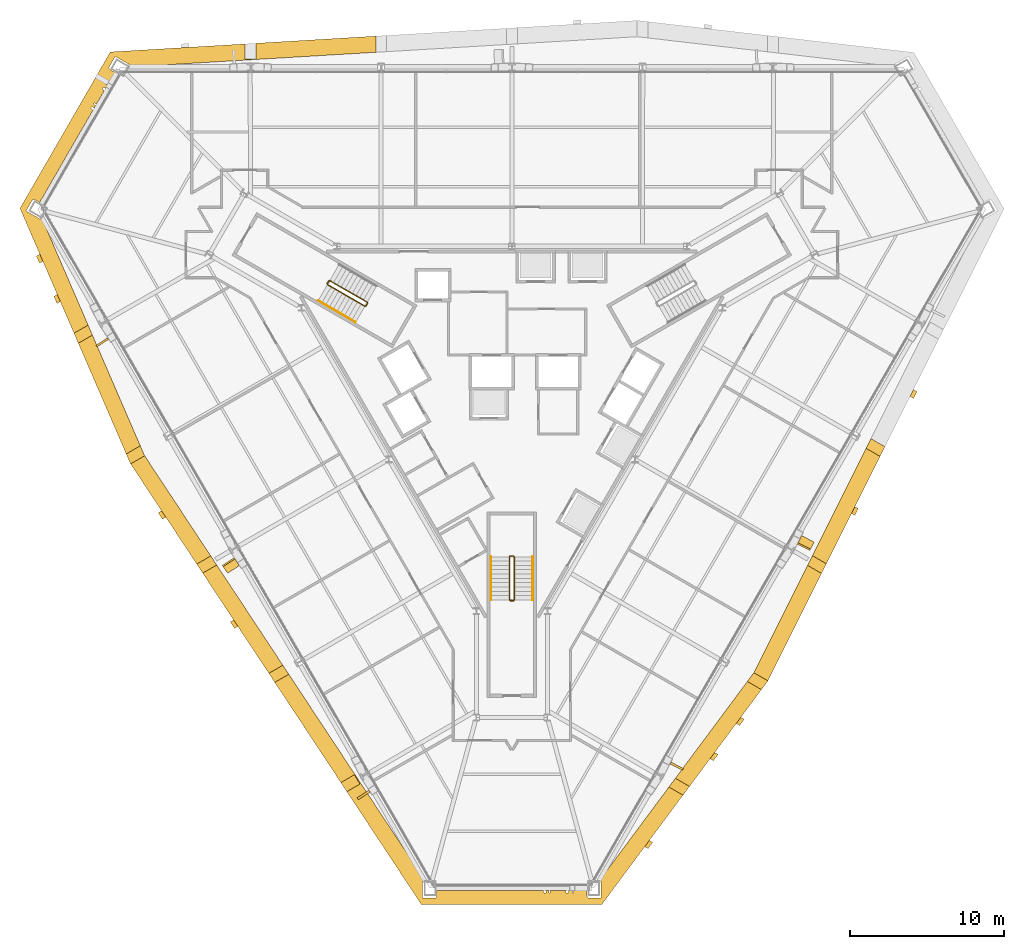
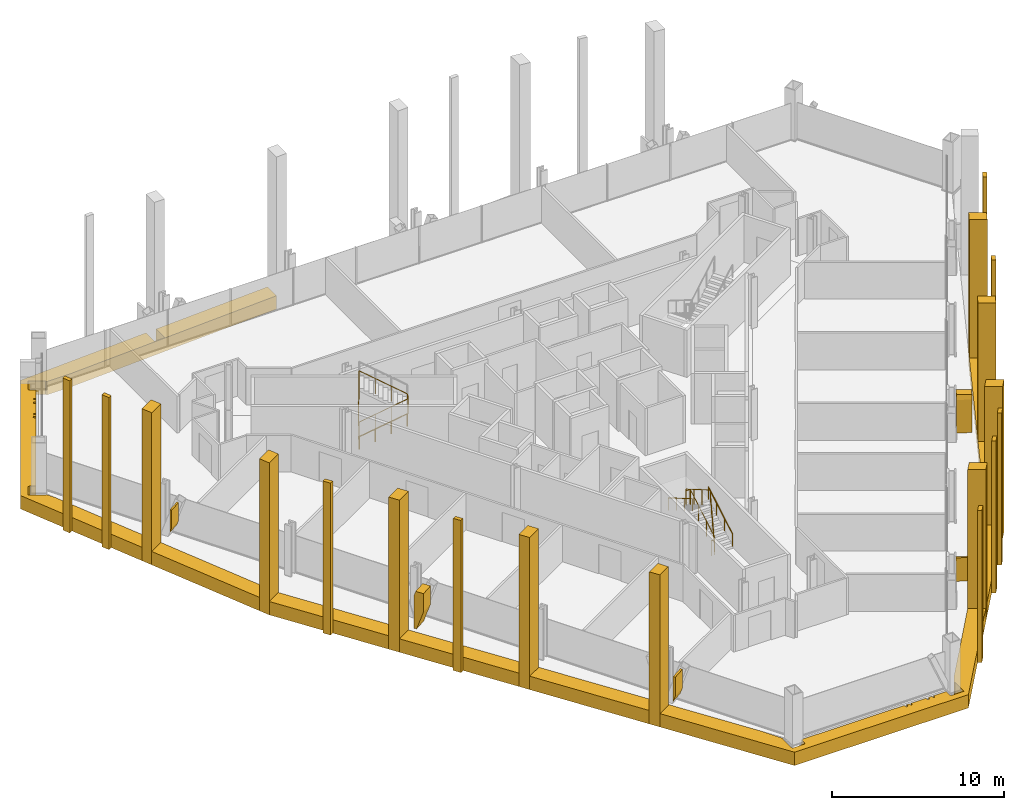
# One storey, part 14 of 16: 31 coverings, 5 railings.
"""IFC4 building model written with IfcOpenShell, lengths in metres."""

from ifc_helpers import new_model, si_unit, direction, frame, origin, origin_2d, place, context, subcontext, project, spatial, polyline, circle, outline, extrude, material, layer, layer_set, type_object, element, save


model = new_model("IFC4")

# Units and contexts
model_context = context("Model", 3, precision=1e-05, world=origin(), true_north=direction((0.0, 1.0)))
body_context = subcontext(model_context, "Body", "Model", "MODEL_VIEW")
ifc_project = project(units=[si_unit("LENGTHUNIT", "METRE"), si_unit("AREAUNIT", "SQUARE_METRE"), si_unit("VOLUMEUNIT", "CUBIC_METRE"), si_unit("PLANEANGLEUNIT", "RADIAN"), si_unit("MASSUNIT", "GRAM", prefix="KILO")], contexts=[model_context])

# Site, building, storey
site_placement = place(None, origin())
site = spatial("IfcSite", under=ifc_project, at=site_placement, CompositionType="ELEMENT")
building_placement = place(site_placement, origin())
building = spatial("IfcBuilding", under=site, at=building_placement, Name="Verrane Prism Tower", CompositionType="ELEMENT")
storey_placement = place(building_placement, frame((0.0, 0.0, 36.800048828125)))
storey = spatial("IfcBuildingStorey", under=building, at=storey_placement, Name="L06", CompositionType="ELEMENT", Elevation=36.800048828125)

# Railings
ifc_material_1 = material(Name="Steel A36 rail and posts, no infill", Category="steel")
railing_type_1 = type_object("IfcRailingType", Name="Stair guard 1100 steel rail and posts", PredefinedType="GUARDRAIL", material=ifc_material_1)
railing_1_placement = place(storey_placement, frame((-11.939453125, 6.72021484375, 0.16357421875)))
element("IfcRailing", 1, at=railing_1_placement, inside=storey, type_object=railing_type_1, Name="Stair 2 guard", PredefinedType="GUARDRAIL", context=body_context, shape_type="SweptSolid", body=[
    extrude(circle(Radius=0.02392578125, at=origin_2d()), frame((0.0, 0.0, 1.076171875), z_axis=(0.747665513933, -0.431721881032, 0.504591415616), x_axis=(0.500049511043, 0.865996816683, 0.0)), (0.0, 0.0, 1.0), 3.2431640625),
    extrude(circle(Radius=0.02392578125, at=origin_2d()), frame((2.4248046875, -1.400146484375, 2.71240234375), z_axis=(0.965948051503, 0.258736085224, 0.0), x_axis=(-0.258736085224, 0.965948051503, 0.0)), (0.0, 0.0, 1.0), 0.07080078125),
    extrude(circle(Radius=0.02392578125, at=origin_2d()), frame((2.4931640625, -1.3818359375, 2.71240234375), z_axis=(0.499158860599, 0.866510491504, 0.0), x_axis=(-0.866510491504, 0.499158860599, 0.0)), (0.0, 0.0, 1.0), 0.199951171875),
    extrude(circle(Radius=0.02392578125, at=origin_2d()), frame((2.593017578125, -1.20849609375, 2.71240234375), z_axis=(-0.102791240646, 0.382383415203, 0.918268416436), x_axis=(-0.965715946433, -0.259601060869, 0.0)), (0.0, 0.0, 1.0), 0.17822265625),
    extrude(circle(Radius=0.02392578125, at=origin_2d()), frame((2.57470703125, -1.140380859375, 2.8759765625), z_axis=(-0.747693913401, 0.431738279637, 0.504535300807), x_axis=(-0.500049511043, -0.865996816683, 0.0)), (0.0, 0.0, 1.0), 3.2431640625),
    extrude(circle(Radius=0.02392578125, at=origin_2d()), frame((0.14990234375, 0.259765625, 4.51220703125), z_axis=(-0.046610908435, -0.053105316576, -0.997500500534), x_axis=(0.751567565678, -0.659656118156, 0.0)), (0.0, 0.0, 1.0), 3.60888671875),
    extrude(circle(Radius=0.02392578125, at=origin_2d()), frame((-0.018310546875, 0.068115234375, 0.91259765625), z_axis=(0.499158860599, 0.866510491504, 0.0), x_axis=(-0.866510491504, 0.499158860599, 0.0)), (0.0, 0.0, 1.0), 0.199951171875),
    extrude(circle(Radius=0.02099609375, at=origin_2d()), origin(), (0.0, 0.0, 1.0), 1.052001953125),
    extrude(circle(Radius=0.02099609375, at=origin_2d()), frame((0.808349609375, -0.466796875, 0.54541015625)), (0.0, 0.0, 1.0), 1.052001953125),
    extrude(circle(Radius=0.02099609375, at=origin_2d()), frame((1.616455078125, -0.933349609375, 1.091064453125)), (0.0, 0.0, 1.0), 1.052001953125),
    extrude(circle(Radius=0.02099609375, at=origin_2d()), frame((2.4248046875, -1.400146484375, 1.636474609375)), (0.0, 0.0, 1.0), 1.052001953125),
    extrude(circle(Radius=0.02099609375, at=origin_2d()), frame((2.4931640625, -1.3818359375, 1.636474609375)), (0.0, 0.0, 1.0), 1.052001953125),
    extrude(circle(Radius=0.02099609375, at=origin_2d()), frame((2.593017578125, -1.20849609375, 1.636474609375)), (0.0, 0.0, 1.0), 1.052001953125),
    extrude(circle(Radius=0.02099609375, at=origin_2d()), frame((2.57470703125, -1.140380859375, 1.800048828125)), (0.0, 0.0, 1.0), 1.052001953125),
    extrude(circle(Radius=0.02099609375, at=origin_2d()), frame((1.766357421875, -0.673583984375, 2.345458984375)), (0.0, 0.0, 1.0), 1.052001953125),
    extrude(circle(Radius=0.02099609375, at=origin_2d()), frame((0.958251953125, -0.20703125, 2.890869140625)), (0.0, 0.0, 1.0), 1.052001953125),
    extrude(circle(Radius=0.02099609375, at=origin_2d()), frame((0.14990234375, 0.259765625, 3.436279296875)), (0.0, 0.0, 1.0), 1.052001953125),
    extrude(circle(Radius=0.02099609375, at=origin_2d()), frame((0.10791015625, 0.2119140625, 2.536376953125)), (0.0, 0.0, 1.0), 1.052001953125),
    extrude(circle(Radius=0.02099609375, at=origin_2d()), frame((0.06591796875, 0.1640625, 1.63623046875)), (0.0, 0.0, 1.0), 1.052001953125),
    extrude(circle(Radius=0.02099609375, at=origin_2d()), frame((0.023681640625, 0.115966796875, 0.736328125)), (0.0, 0.0, 1.0), 1.052001953125),
    extrude(circle(Radius=0.02099609375, at=origin_2d()), frame((-0.018310546875, 0.068115234375, -0.16357421875)), (0.0, 0.0, 1.0), 1.052001953125),
    extrude(circle(Radius=0.02099609375, at=origin_2d()), frame((0.08154296875, 0.241455078125, -0.16357421875)), (0.0, 0.0, 1.0), 1.052001953125),
])
railing_2_placement = place(storey_placement, frame((0.14990234375, -13.699951171875, 0.16357421875)))
element("IfcRailing", 2, at=railing_2_placement, inside=storey, type_object=railing_type_1, Name="Stair 3 guard", PredefinedType="GUARDRAIL", context=body_context, shape_type="SweptSolid", body=[
    extrude(circle(Radius=0.02392578125, at=origin_2d()), frame((0.0, 0.0, 1.076171875), z_axis=(0.0, 0.863360870873, 0.504586966384), x_axis=(-1.0, 0.0, 0.0)), (0.0, 0.0, 1.0), 3.2431640625),
    extrude(circle(Radius=0.02392578125, at=origin_2d()), frame((0.0, 2.800048828125, 2.71240234375), z_axis=(-0.707106781187, 0.707106781187, 0.0), x_axis=(-0.707106781187, -0.707106781187, 0.0)), (0.0, 0.0, 1.0), 0.0703125),
    extrude(circle(Radius=0.02392578125, at=origin_2d()), frame((-0.0498046875, 2.849853515625, 2.71240234375), z_axis=(-1.0, 0.0, 0.0), x_axis=(0.0, -1.0, 0.0)), (0.0, 0.0, 1.0), 0.2001953125),
    extrude(circle(Radius=0.02392578125, at=origin_2d()), frame((-0.25, 2.849853515625, 2.71240234375), z_axis=(-0.279653641804, -0.279653641804, 0.918470294159), x_axis=(0.707106781187, -0.707106781187, 0.0)), (0.0, 0.0, 1.0), 0.177978515625),
    extrude(circle(Radius=0.02392578125, at=origin_2d()), frame((-0.2998046875, 2.800048828125, 2.8759765625), z_axis=(0.0, -0.863393664356, 0.504530851732), x_axis=(1.0, 0.0, 0.0)), (0.0, 0.0, 1.0), 3.2431640625),
    extrude(circle(Radius=0.02392578125, at=origin_2d()), frame((-0.2998046875, 0.0, 4.51220703125), z_axis=(0.069273741535, -0.013868278335, -0.997501288014), x_axis=(0.196300278283, 0.98054382908, 0.0)), (0.0, 0.0, 1.0), 3.60888671875),
    extrude(circle(Radius=0.02392578125, at=origin_2d()), frame((-0.0498046875, -0.050048828125, 0.91259765625), z_axis=(-1.0, 0.0, 0.0), x_axis=(0.0, -1.0, 0.0)), (0.0, 0.0, 1.0), 0.2001953125),
    extrude(circle(Radius=0.02099609375, at=origin_2d()), origin(), (0.0, 0.0, 1.0), 1.052001953125),
    extrude(circle(Radius=0.02099609375, at=origin_2d()), frame((0.0, 0.933349609375, 0.54541015625)), (0.0, 0.0, 1.0), 1.052001953125),
    extrude(circle(Radius=0.02099609375, at=origin_2d()), frame((0.0, 1.86669921875, 1.091064453125)), (0.0, 0.0, 1.0), 1.052001953125),
    extrude(circle(Radius=0.02099609375, at=origin_2d()), frame((0.0, 2.800048828125, 1.636474609375)), (0.0, 0.0, 1.0), 1.052001953125),
    extrude(circle(Radius=0.02099609375, at=origin_2d()), frame((-0.0498046875, 2.849853515625, 1.636474609375)), (0.0, 0.0, 1.0), 1.052001953125),
    extrude(circle(Radius=0.02099609375, at=origin_2d()), frame((-0.25, 2.849853515625, 1.636474609375)), (0.0, 0.0, 1.0), 1.052001953125),
    extrude(circle(Radius=0.02099609375, at=origin_2d()), frame((-0.2998046875, 2.800048828125, 1.800048828125)), (0.0, 0.0, 1.0), 1.052001953125),
    extrude(circle(Radius=0.02099609375, at=origin_2d()), frame((-0.2998046875, 1.86669921875, 2.345458984375)), (0.0, 0.0, 1.0), 1.052001953125),
    extrude(circle(Radius=0.02099609375, at=origin_2d()), frame((-0.2998046875, 0.933349609375, 2.890869140625)), (0.0, 0.0, 1.0), 1.052001953125),
    extrude(circle(Radius=0.02099609375, at=origin_2d()), frame((-0.2998046875, 0.0, 3.436279296875)), (0.0, 0.0, 1.0), 1.052001953125),
    extrude(circle(Radius=0.02099609375, at=origin_2d()), frame((-0.2373046875, -0.012451171875, 2.536376953125)), (0.0, 0.0, 1.0), 1.052001953125),
    extrude(circle(Radius=0.02099609375, at=origin_2d()), frame((-0.1748046875, -0.02490234375, 1.63623046875)), (0.0, 0.0, 1.0), 1.052001953125),
    extrude(circle(Radius=0.02099609375, at=origin_2d()), frame((-0.1123046875, -0.03759765625, 0.736328125)), (0.0, 0.0, 1.0), 1.052001953125),
    extrude(circle(Radius=0.02099609375, at=origin_2d()), frame((-0.0498046875, -0.050048828125, -0.16357421875)), (0.0, 0.0, 1.0), 1.052001953125),
    extrude(circle(Radius=0.02099609375, at=origin_2d()), frame((-0.25, -0.050048828125, -0.16357421875)), (0.0, 0.0, 1.0), 1.052001953125),
])
ifc_material_2 = material(Name="Steel A36 tube", Category="steel")
railing_type_2 = type_object("IfcRailingType", Name="Stair handrail 900 steel tube", PredefinedType="HANDRAIL", material=ifc_material_2)
railing_3_placement = place(storey_placement, frame((-12.53955078125, 5.680908203125, 0.16357421875)))
element("IfcRailing", 3, at=railing_3_placement, inside=storey, type_object=railing_type_2, Name="Stair 2 handrail", PredefinedType="HANDRAIL", context=body_context, shape_type="SweptSolid", body=[
    extrude(circle(Radius=0.02392578125, at=origin_2d()), frame((0.0, 0.0, 0.8759765625), z_axis=(0.747665513933, -0.431721881032, 0.504591415616), x_axis=(0.500049511043, 0.865996816683, 0.0)), (0.0, 0.0, 1.0), 3.2431640625),
    extrude(circle(Radius=0.02099609375, at=origin_2d()), origin(), (0.0, 0.0, 1.0), 0.851806640625),
    extrude(circle(Radius=0.02099609375, at=origin_2d()), frame((0.808349609375, -0.466796875, 0.54541015625)), (0.0, 0.0, 1.0), 0.851806640625),
    extrude(circle(Radius=0.02099609375, at=origin_2d()), frame((1.616455078125, -0.933349609375, 1.091064453125)), (0.0, 0.0, 1.0), 0.851806640625),
    extrude(circle(Radius=0.02099609375, at=origin_2d()), frame((2.4248046875, -1.400146484375, 1.636474609375)), (0.0, 0.0, 1.0), 0.851806640625),
])
railing_4_placement = place(storey_placement, frame((1.35009765625, -13.699951171875, 0.16357421875)))
element("IfcRailing", 4, at=railing_4_placement, inside=storey, type_object=railing_type_2, Name="Stair 3 handrail", PredefinedType="HANDRAIL", context=body_context, shape_type="SweptSolid", body=[
    extrude(circle(Radius=0.02392578125, at=origin_2d()), frame((0.0, 0.0, 0.8759765625), z_axis=(0.0, 0.863360870873, 0.504586966384), x_axis=(-1.0, 0.0, 0.0)), (0.0, 0.0, 1.0), 3.2431640625),
    extrude(circle(Radius=0.02099609375, at=origin_2d()), origin(), (0.0, 0.0, 1.0), 0.851806640625),
    extrude(circle(Radius=0.02099609375, at=origin_2d()), frame((0.0, 0.933349609375, 0.54541015625)), (0.0, 0.0, 1.0), 0.851806640625),
    extrude(circle(Radius=0.02099609375, at=origin_2d()), frame((0.0, 1.86669921875, 1.091064453125)), (0.0, 0.0, 1.0), 0.851806640625),
    extrude(circle(Radius=0.02099609375, at=origin_2d()), frame((0.0, 2.800048828125, 1.636474609375)), (0.0, 0.0, 1.0), 0.851806640625),
])
railing_5_placement = place(storey_placement, frame((-1.35009765625, -10.89990234375, 1.963623046875)))
element("IfcRailing", 5, at=railing_5_placement, inside=storey, type_object=railing_type_2, Name="Stair 3 handrail", PredefinedType="HANDRAIL", context=body_context, shape_type="SweptSolid", body=[
    extrude(circle(Radius=0.02392578125, at=origin_2d()), frame((0.0, 0.0, 0.8759765625), z_axis=(0.0, -0.863393664356, 0.504530851732), x_axis=(1.0, 0.0, 0.0)), (0.0, 0.0, 1.0), 3.2431640625),
    extrude(circle(Radius=0.02099609375, at=origin_2d()), origin(), (0.0, 0.0, 1.0), 0.851806640625),
    extrude(circle(Radius=0.02099609375, at=origin_2d()), frame((0.0, -0.933349609375, 0.54541015625)), (0.0, 0.0, 1.0), 0.851806640625),
    extrude(circle(Radius=0.02099609375, at=origin_2d()), frame((0.0, -1.86669921875, 1.0908203125)), (0.0, 0.0, 1.0), 0.851806640625),
    extrude(circle(Radius=0.02099609375, at=origin_2d()), frame((0.0, -2.800048828125, 1.63623046875)), (0.0, 0.0, 1.0), 0.851806640625),
])

# Coverings
ifc_material_3 = material(Name="Warm limestone cladding", Category="masonry")
ifc_layer_1 = layer(ifc_material_3, 0.89990234375)
ifc_layer_set_1 = layer_set([ifc_layer_1], Name="Stone brace fin 900")
covering_type_1 = type_object("IfcCoveringType", Name="Stone brace fin 900", PredefinedType="CLADDING", material=ifc_layer_set_1)
covering_1_placement = place(storey_placement, frame((-26.552001953125, 3.0283203125, 1.0322265625), z_axis=(0.0, 0.0, 1.0), x_axis=(0.541798367601, -0.840508494225, 0.0)))
element("IfcCovering", 6, at=covering_1_placement, inside=storey, type_object=covering_type_1, Name="Stone brace fin SW2 L06", PredefinedType="CLADDING", context=body_context, shape_type="SweptSolid", body=[
    extrude(outline(polyline([(0.118408203125, 1.61767578125), (0.0, 1.61767578125), (0.0, 0.0), (0.118408203125, 0.345703125), (0.118408203125, 1.61767578125)])), frame((0.0, 0.449951171875, 0.0), z_axis=(0.0, -1.0, 0.0), x_axis=(1.0, 0.0, 0.0)), (0.0, 0.0, 1.0), 0.89990234375),
])
covering_2_placement = place(storey_placement, frame((-18.35986328125, -11.20849609375, 0.0), z_axis=(0.0, 0.0, 1.0), x_axis=(0.543449212633, -0.839442048797, 0.0)))
element("IfcCovering", 7, at=covering_2_placement, inside=storey, type_object=covering_type_1, Name="Stone brace fin SW4 L06", PredefinedType="CLADDING", context=body_context, shape_type="SweptSolid", body=[
    extrude(outline(polyline([(0.61376953125, 2.64990234375), (0.10009765625, 2.64990234375), (0.0, 2.3515625), (0.0, 0.0), (0.15966796875, 0.0), (0.61376953125, 1.35205078125), (0.61376953125, 2.64990234375)])), frame((0.0, 0.449951171875, 0.0), z_axis=(0.0, -1.0, 0.0), x_axis=(1.0, 0.0, 0.0)), (0.0, 0.0, 1.0), 0.89990234375),
])
covering_3_placement = place(storey_placement, frame((-9.64453125, -26.261962890625, 0.882568359375), z_axis=(0.0, 0.0, 1.0), x_axis=(0.543873698571, -0.839167087059, 0.0)))
element("IfcCovering", 8, at=covering_3_placement, inside=storey, type_object=covering_type_1, Name="Stone brace fin SW6 L06", PredefinedType="CLADDING", context=body_context, shape_type="SweptSolid", body=[
    extrude(outline(polyline([(0.146484375, 1.767333984375), (0.0, 1.767333984375), (0.0, 0.0), (0.146484375, 0.4443359375), (0.146484375, 1.767333984375)])), frame((0.0, 0.449951171875, 0.0), z_axis=(0.0, -1.0, 0.0), x_axis=(1.0, 0.0, 0.0)), (0.0, 0.0, 1.0), 0.89990234375),
])
covering_4_placement = place(storey_placement, frame((10.648193359375, -24.522216796875, 0.98291015625), z_axis=(0.0, 0.0, 1.0), x_axis=(0.457999770489, 0.888952310437, 0.0)))
element("IfcCovering", 9, at=covering_4_placement, inside=storey, type_object=covering_type_1, Name="Stone brace fin SE2 L06", PredefinedType="CLADDING", context=body_context, shape_type="SweptSolid", body=[
    extrude(outline(polyline([(0.135498046875, 1.6669921875), (0.0, 1.6669921875), (0.0, 0.0), (0.135498046875, 0.39501953125), (0.135498046875, 1.6669921875)])), frame((0.0, 0.449951171875, 0.0), z_axis=(0.0, -1.0, 0.0), x_axis=(1.0, 0.0, 0.0)), (0.0, 0.0, 1.0), 0.89990234375),
])
covering_5_placement = place(storey_placement, frame((18.891357421875, -10.2880859375, 0.0), z_axis=(0.0, 0.0, 1.0), x_axis=(0.45577605789, 0.890094480971, 0.0)))
element("IfcCovering", 10, at=covering_5_placement, inside=storey, type_object=covering_type_1, Name="Stone brace fin SE4 L06", PredefinedType="CLADDING", context=body_context, shape_type="SweptSolid", body=[
    extrude(outline(polyline([(0.614501953125, 2.64990234375), (0.10107421875, 2.64990234375), (0.0, 2.349853515625), (0.0, 0.0), (0.1591796875, 0.0), (0.614501953125, 1.35400390625), (0.614501953125, 2.64990234375)])), frame((0.0, 0.449951171875, 0.0), z_axis=(0.0, -1.0, 0.0), x_axis=(1.0, 0.0, 0.0)), (0.0, 0.0, 1.0), 0.89990234375),
])
ifc_material_4 = material(Name="Warm limestone cladding", Category="masonry")
covering_type_2 = type_object("IfcCoveringType", Name="Stone mullion pier 500", PredefinedType="CLADDING", material=ifc_material_4)
covering_6_placement = place(storey_placement, frame((0.0, 0.0, -0.949951171875)))
element("IfcCovering", 11, at=covering_6_placement, inside=storey, type_object=covering_type_2, Name="Stone pier SM-SW0.1 L06-L08", PredefinedType="CLADDING", context=body_context, shape_type="SweptSolid", body=[
    extrude(outline(polyline([(-30.3603515625, 8.227294921875), (-30.560302734375, 8.689208984375), (-30.778076171875, 8.5634765625), (-30.578369140625, 8.1015625), (-30.3603515625, 8.227294921875)])), origin(), (0.0, 0.0, 1.0), 10.7998046875),
])
covering_7_placement = place(storey_placement, frame((0.0, 0.0, -0.949951171875)))
element("IfcCovering", 12, at=covering_7_placement, inside=storey, type_object=covering_type_2, Name="Stone pier SM-SW0.2 L06-L08", PredefinedType="CLADDING", context=body_context, shape_type="SweptSolid", body=[
    extrude(outline(polyline([(-29.233642578125, 5.622314453125), (-29.43359375, 6.084228515625), (-29.6513671875, 5.95849609375), (-29.45166015625, 5.496337890625), (-29.233642578125, 5.622314453125)])), origin(), (0.0, 0.0, 1.0), 10.7998046875),
])
covering_8_placement = place(storey_placement, frame((0.0, 0.0, -0.949951171875)))
element("IfcCovering", 13, at=covering_8_placement, inside=storey, type_object=covering_type_2, Name="Stone pier SM-SW2.1 L06-L08", PredefinedType="CLADDING", context=body_context, shape_type="SweptSolid", body=[
    extrude(outline(polyline([(-22.402587890625, -8.339599609375), (-22.678466796875, -7.92138671875), (-22.8955078125, -8.046630859375), (-22.619384765625, -8.464599609375), (-22.402587890625, -8.339599609375)])), origin(), (0.0, 0.0, 1.0), 10.7998046875),
])
covering_9_placement = place(storey_placement, frame((0.0, 0.0, -0.949951171875)))
element("IfcCovering", 14, at=covering_9_placement, inside=storey, type_object=covering_type_2, Name="Stone pier SM-SW3.1 L06-L08", PredefinedType="CLADDING", context=body_context, shape_type="SweptSolid", body=[
    extrude(outline(polyline([(-17.736083984375, -15.412109375), (-18.011962890625, -14.993896484375), (-18.22900390625, -15.119140625), (-17.952880859375, -15.537109375), (-17.736083984375, -15.412109375)])), origin(), (0.0, 0.0, 1.0), 10.7998046875),
])
covering_10_placement = place(storey_placement, frame((0.0, 0.0, -0.949951171875)))
element("IfcCovering", 15, at=covering_10_placement, inside=storey, type_object=covering_type_2, Name="Stone pier SM-SE0.1 L06-L08", PredefinedType="CLADDING", context=body_context, shape_type="SweptSolid", body=[
    extrude(outline(polyline([(8.9013671875, -29.267333984375), (8.601318359375, -29.67138671875), (8.819091796875, -29.797119140625), (9.119384765625, -29.393310546875), (8.9013671875, -29.267333984375)])), origin(), (0.0, 0.0, 1.0), 10.7998046875),
])
covering_11_placement = place(storey_placement, frame((0.0, 0.0, -0.949951171875)))
element("IfcCovering", 16, at=covering_11_placement, inside=storey, type_object=covering_type_2, Name="Stone pier SM-SE1.1 L06-L08", PredefinedType="CLADDING", context=body_context, shape_type="SweptSolid", body=[
    extrude(outline(polyline([(13.13330078125, -23.57177734375), (12.8330078125, -23.9755859375), (13.051025390625, -24.1015625), (13.351318359375, -23.697509765625), (13.13330078125, -23.57177734375)])), origin(), (0.0, 0.0, 1.0), 10.7998046875),
])
covering_12_placement = place(storey_placement, frame((0.0, 0.0, -0.949951171875)))
element("IfcCovering", 17, at=covering_12_placement, inside=storey, type_object=covering_type_2, Name="Stone pier SM-SE1.2 L06-L08", PredefinedType="CLADDING", context=body_context, shape_type="SweptSolid", body=[
    extrude(outline(polyline([(14.825927734375, -21.29345703125), (14.525634765625, -21.697509765625), (14.74365234375, -21.8232421875), (15.0439453125, -21.419189453125), (14.825927734375, -21.29345703125)])), origin(), (0.0, 0.0, 1.0), 10.7998046875),
])
covering_13_placement = place(storey_placement, frame((0.0, 0.0, -0.949951171875)))
element("IfcCovering", 18, at=covering_13_placement, inside=storey, type_object=covering_type_2, Name="Stone pier SM-SE3.1 L06-L08", PredefinedType="CLADDING", context=body_context, shape_type="SweptSolid", body=[
    extrude(outline(polyline([(22.215087890625, -7.654052734375), (21.9912109375, -8.101806640625), (22.2080078125, -8.22705078125), (22.43212890625, -7.779296875), (22.215087890625, -7.654052734375)])), origin(), (0.0, 0.0, 1.0), 10.7998046875),
])
covering_14_placement = place(storey_placement, frame((0.0, 0.0, -0.949951171875)))
element("IfcCovering", 19, at=covering_14_placement, inside=storey, type_object=covering_type_2, Name="Stone pier SM-SE4.1 L06-L08", PredefinedType="CLADDING", context=body_context, shape_type="SweptSolid", body=[
    extrude(outline(polyline([(26.007080078125, -0.076416015625), (25.78271484375, -0.5244140625), (25.999755859375, -0.6494140625), (26.223876953125, -0.20166015625), (26.007080078125, -0.076416015625)])), origin(), (0.0, 0.0, 1.0), 10.7998046875),
])
ifc_material_5 = material(Name="Warm limestone cladding", Category="masonry")
covering_type_3 = type_object("IfcCoveringType", Name="Stone pier 700", PredefinedType="CLADDING", material=ifc_material_5)
covering_15_placement = place(storey_placement, frame((0.0, 0.0, -0.949951171875)))
element("IfcCovering", 20, at=covering_15_placement, inside=storey, type_object=covering_type_3, Name="Stone pier PC-SW1 L06-L08", PredefinedType="CLADDING", context=body_context, shape_type="SweptSolid", body=[
    extrude(outline(polyline([(-28.06689453125, 2.9248046875), (-27.15478515625, 3.451416015625), (-27.4345703125, 4.098388671875), (-28.3466796875, 3.571533203125), (-28.06689453125, 2.9248046875)])), origin(), (0.0, 0.0, 1.0), 10.7998046875),
])
covering_16_placement = place(storey_placement, frame((0.0, 0.0, -0.949951171875)))
element("IfcCovering", 21, at=covering_16_placement, inside=storey, type_object=covering_type_3, Name="Stone pier PC-SW2 L06-L08", PredefinedType="CLADDING", context=body_context, shape_type="SweptSolid", body=[
    extrude(outline(polyline([(-24.6806640625, -4.886962890625), (-23.77294921875, -4.36279296875), (-23.779296875, -4.35302734375), (-24.054443359375, -3.717041015625), (-24.966796875, -4.24365234375), (-24.703369140625, -4.852783203125), (-24.6806640625, -4.886962890625)])), origin(), (0.0, 0.0, 1.0), 10.7998046875),
])
covering_17_placement = place(storey_placement, frame((0.0, 0.0, -0.949951171875)))
element("IfcCovering", 22, at=covering_17_placement, inside=storey, type_object=covering_type_3, Name="Stone pier PC-SW3 L06-L08", PredefinedType="CLADDING", context=body_context, shape_type="SweptSolid", body=[
    extrude(outline(polyline([(-20.01416015625, -11.95947265625), (-19.1064453125, -11.435302734375), (-19.49267578125, -10.849853515625), (-20.400390625, -11.3740234375), (-20.01416015625, -11.95947265625)])), origin(), (0.0, 0.0, 1.0), 10.7998046875),
])
covering_18_placement = place(storey_placement, frame((0.0, 0.0, -0.949951171875)))
element("IfcCovering", 23, at=covering_18_placement, inside=storey, type_object=covering_type_3, Name="Stone pier PC-SW4 L06-L08", PredefinedType="CLADDING", context=body_context, shape_type="SweptSolid", body=[
    extrude(outline(polyline([(-15.34765625, -19.031982421875), (-14.43994140625, -18.5078125), (-14.826171875, -17.92236328125), (-15.73388671875, -18.446533203125), (-15.34765625, -19.031982421875)])), origin(), (0.0, 0.0, 1.0), 10.7998046875),
])
covering_19_placement = place(storey_placement, frame((0.0, 0.0, -0.949951171875)))
element("IfcCovering", 24, at=covering_19_placement, inside=storey, type_object=covering_type_3, Name="Stone pier PC-SW5 L06-L08", PredefinedType="CLADDING", context=body_context, shape_type="SweptSolid", body=[
    extrude(outline(polyline([(-9.838623046875, -25.617919921875), (-9.87451171875, -25.5556640625), (-10.188720703125, -25.01171875), (-11.0673828125, -25.51904296875), (-10.68115234375, -26.1044921875), (-9.838623046875, -25.617919921875)])), origin(), (0.0, 0.0, 1.0), 10.7998046875),
])
covering_20_placement = place(storey_placement, frame((0.0, 0.0, -0.949951171875)))
element("IfcCovering", 25, at=covering_20_placement, inside=storey, type_object=covering_type_3, Name="Stone pier PC-SE1 L06-L08", PredefinedType="CLADDING", context=body_context, shape_type="SweptSolid", body=[
    extrude(outline(polyline([(11.50048828125, -25.769287109375), (10.588134765625, -25.242431640625), (10.16796875, -25.80810546875), (11.080322265625, -26.334716796875), (11.50048828125, -25.769287109375)])), origin(), (0.0, 0.0, 1.0), 10.7998046875),
])
covering_21_placement = place(storey_placement, frame((0.0, 0.0, -0.949951171875)))
element("IfcCovering", 26, at=covering_21_placement, inside=storey, type_object=covering_type_3, Name="Stone pier PC-SE2 L06-L08", PredefinedType="CLADDING", context=body_context, shape_type="SweptSolid", body=[
    extrude(outline(polyline([(16.572509765625, -18.9306640625), (15.66455078125, -18.406494140625), (15.659423828125, -18.4169921875), (15.24609375, -18.97314453125), (16.158447265625, -19.5), (16.55419921875, -18.96728515625), (16.572509765625, -18.9306640625)])), origin(), (0.0, 0.0, 1.0), 10.7998046875),
])
covering_22_placement = place(storey_placement, frame((0.0, 0.0, -0.949951171875)))
element("IfcCovering", 27, at=covering_22_placement, inside=storey, type_object=covering_type_3, Name="Stone pier PC-SE3 L06-L08", PredefinedType="CLADDING", context=body_context, shape_type="SweptSolid", body=[
    extrude(outline(polyline([(20.3642578125, -11.353271484375), (19.456298828125, -10.8291015625), (19.142578125, -11.4560546875), (20.05029296875, -11.980224609375), (20.3642578125, -11.353271484375)])), origin(), (0.0, 0.0, 1.0), 10.7998046875),
])
covering_23_placement = place(storey_placement, frame((0.0, 0.0, -0.949951171875)))
element("IfcCovering", 28, at=covering_23_placement, inside=storey, type_object=covering_type_3, Name="Stone pier PC-SE4 L06-L08", PredefinedType="CLADDING", context=body_context, shape_type="SweptSolid", body=[
    extrude(outline(polyline([(24.156005859375, -3.775634765625), (23.248046875, -3.25146484375), (22.934326171875, -3.878662109375), (23.842041015625, -4.402587890625), (24.156005859375, -3.775634765625)])), origin(), (0.0, 0.0, 1.0), 10.7998046875),
])
ifc_material_6 = material(Name="Warm limestone cladding", Category="masonry")
ifc_layer_2 = layer(ifc_material_6, 0.449951171875)
ifc_layer_set_2 = layer_set([ifc_layer_2], Name="Stone spandrel band 450")
covering_type_4 = type_object("IfcCoveringType", Name="Stone spandrel band 450", PredefinedType="CLADDING", material=ifc_layer_set_2)
covering_24_placement = place(storey_placement, frame((0.0, 0.0, -0.949951171875)))
element("IfcCovering", 29, at=covering_24_placement, inside=storey, type_object=covering_type_4, Name="Stone spandrel band L06 part 1", PredefinedType="CLADDING", context=body_context, shape_type="SweptSolid", body=[
    extrude(outline(polyline([(5.826171875, -33.406494140625), (11.080322265625, -26.334716796875), (10.16796875, -25.80810546875), (5.99072265625, -31.430419921875), (5.737060546875, -31.86962890625), (5.771728515625, -31.947509765625), (5.771728515625, -32.983642578125), (4.922119140625, -32.983642578125), (4.871826171875, -32.87060546875), (4.871826171875, -32.493408203125), (3.998779296875, -32.493408203125), (3.998779296875, -32.659912109375), (3.911376953125, -32.659912109375), (3.911376953125, -32.493408203125), (3.66015625, -32.493408203125), (3.66015625, -32.659912109375), (3.514892578125, -32.659912109375), (3.514892578125, -32.493408203125), (2.484619140625, -32.493408203125), (2.484619140625, -32.659912109375), (2.39697265625, -32.659912109375), (2.39697265625, -32.493408203125), (2.18017578125, -32.493408203125), (2.21826171875, -32.651611328125), (2.075439453125, -32.68603515625), (2.029052734375, -32.493408203125), (-4.871826171875, -32.493408203125), (-4.871826171875, -32.87060546875), (-4.922119140625, -32.983642578125), (-5.771728515625, -32.983642578125), (-5.771728515625, -31.947509765625), (-5.737060546875, -31.86962890625), (-6.531982421875, -30.49267578125), (-14.43994140625, -18.5078125), (-15.34765625, -19.031982421875), (-11.0673828125, -25.51904296875), (-10.188720703125, -25.01171875), (-9.838623046875, -25.617919921875), (-10.68115234375, -26.1044921875), (-5.86328125, -33.406494140625), (5.826171875, -33.406494140625)])), origin(), (0.0, 0.0, 1.0), 0.949951171875),
])
covering_25_placement = place(storey_placement, frame((0.0, 0.0, -0.949951171875)))
element("IfcCovering", 30, at=covering_25_placement, inside=storey, type_object=covering_type_4, Name="Stone spandrel band L06 part 3", PredefinedType="CLADDING", context=body_context, shape_type="SweptSolid", body=[
    extrude(outline(polyline([(-27.4345703125, 4.098388671875), (-30.21484375, 10.527099609375), (-30.46875, 10.966552734375), (-30.550537109375, 10.974853515625), (-31.4482421875, 11.492919921875), (-31.0234375, 12.228515625), (-30.898193359375, 12.216064453125), (-30.574951171875, 12.029541015625), (-27.1240234375, 18.006591796875), (-27.2646484375, 18.14111328125), (-27.162841796875, 18.24755859375), (-27.04833984375, 18.137939453125), (-26.9404296875, 18.32470703125), (-27.081298828125, 18.406005859375), (-27.03759765625, 18.481689453125), (-26.896728515625, 18.400390625), (-26.381591796875, 19.29296875), (-26.522216796875, 19.374267578125), (-26.44970703125, 19.5), (-26.308837890625, 19.418701171875), (-26.183349609375, 19.635986328125), (-26.32421875, 19.71728515625), (-26.280517578125, 19.793212890625), (-26.1396484375, 19.7119140625), (-25.703125, 20.468017578125), (-26.026123046875, 20.654541015625), (-26.101318359375, 20.7548828125), (-25.676513671875, 21.49072265625), (-24.779296875, 20.97265625), (-24.72705078125, 20.9033203125), (-23.141357421875, 20.9033203125), (-8.80810546875, 21.75927734375), (-8.80810546875, 22.8076171875), (-16.56640625, 22.34423828125), (-16.56640625, 21.331298828125), (-17.2666015625, 21.331298828125), (-17.2666015625, 22.302490234375), (-25.999267578125, 21.781005859375), (-31.843994140625, 11.65771484375), (-28.3466796875, 3.571533203125), (-27.4345703125, 4.098388671875)])), origin(), (0.0, 0.0, 1.0), 0.949951171875),
])
covering_26_placement = place(storey_placement, frame((0.0, 0.0, -0.949951171875)))
element("IfcCovering", 31, at=covering_26_placement, inside=storey, type_object=covering_type_4, Name="Stone spandrel band L06 part 4", PredefinedType="CLADDING", context=body_context, shape_type="SweptSolid", body=[
    extrude(outline(polyline([(-24.966796875, -4.24365234375), (-24.054443359375, -3.717041015625), (-27.15478515625, 3.451416015625), (-28.06689453125, 2.9248046875), (-24.966796875, -4.24365234375)])), origin(), (0.0, 0.0, 1.0), 0.949951171875),
])
covering_27_placement = place(storey_placement, frame((0.0, 0.0, -0.949951171875)))
element("IfcCovering", 32, at=covering_27_placement, inside=storey, type_object=covering_type_4, Name="Stone spandrel band L06 part 5", PredefinedType="CLADDING", context=body_context, shape_type="SweptSolid", body=[
    extrude(outline(polyline([(15.24609375, -18.97314453125), (10.588134765625, -25.242431640625), (11.50048828125, -25.769287109375), (16.158447265625, -19.5), (15.24609375, -18.97314453125)])), origin(), (0.0, 0.0, 1.0), 0.949951171875),
])
covering_28_placement = place(storey_placement, frame((0.0, 0.0, -0.949951171875)))
element("IfcCovering", 33, at=covering_28_placement, inside=storey, type_object=covering_type_4, Name="Stone spandrel band L06 part 7", PredefinedType="CLADDING", context=body_context, shape_type="SweptSolid", body=[
    extrude(outline(polyline([(-19.49267578125, -10.849853515625), (-23.77294921875, -4.36279296875), (-24.6806640625, -4.886962890625), (-20.400390625, -11.3740234375), (-19.49267578125, -10.849853515625)])), origin(), (0.0, 0.0, 1.0), 0.949951171875),
])
covering_29_placement = place(storey_placement, frame((0.0, 0.0, -0.949951171875)))
element("IfcCovering", 34, at=covering_29_placement, inside=storey, type_object=covering_type_4, Name="Stone spandrel band L06 part 8", PredefinedType="CLADDING", context=body_context, shape_type="SweptSolid", body=[
    extrude(outline(polyline([(-14.826171875, -17.92236328125), (-19.1064453125, -11.435302734375), (-20.01416015625, -11.95947265625), (-15.73388671875, -18.446533203125), (-14.826171875, -17.92236328125)])), origin(), (0.0, 0.0, 1.0), 0.949951171875),
])
covering_30_placement = place(storey_placement, frame((0.0, 0.0, -0.949951171875)))
element("IfcCovering", 35, at=covering_30_placement, inside=storey, type_object=covering_type_4, Name="Stone spandrel band L06 part 9", PredefinedType="CLADDING", context=body_context, shape_type="SweptSolid", body=[
    extrude(outline(polyline([(20.05029296875, -11.980224609375), (19.142578125, -11.4560546875), (15.66455078125, -18.406494140625), (16.572509765625, -18.9306640625), (20.05029296875, -11.980224609375)])), origin(), (0.0, 0.0, 1.0), 0.949951171875),
])
covering_31_placement = place(storey_placement, frame((0.0, 0.0, -0.949951171875)))
element("IfcCovering", 36, at=covering_31_placement, inside=storey, type_object=covering_type_4, Name="Stone spandrel band L06 part 10", PredefinedType="CLADDING", context=body_context, shape_type="SweptSolid", body=[
    extrude(outline(polyline([(22.934326171875, -3.878662109375), (19.456298828125, -10.8291015625), (20.3642578125, -11.353271484375), (23.842041015625, -4.402587890625), (22.934326171875, -3.878662109375)])), origin(), (0.0, 0.0, 1.0), 0.949951171875),
])

save(model, "model.ifc")
